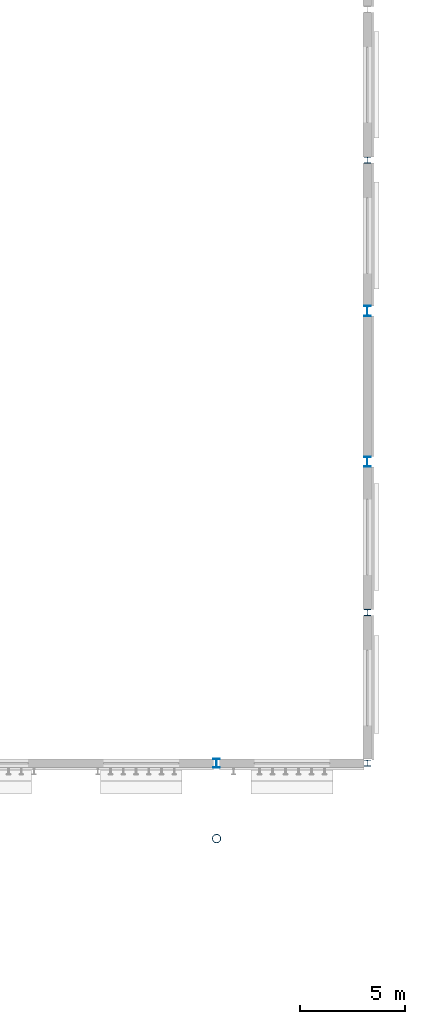
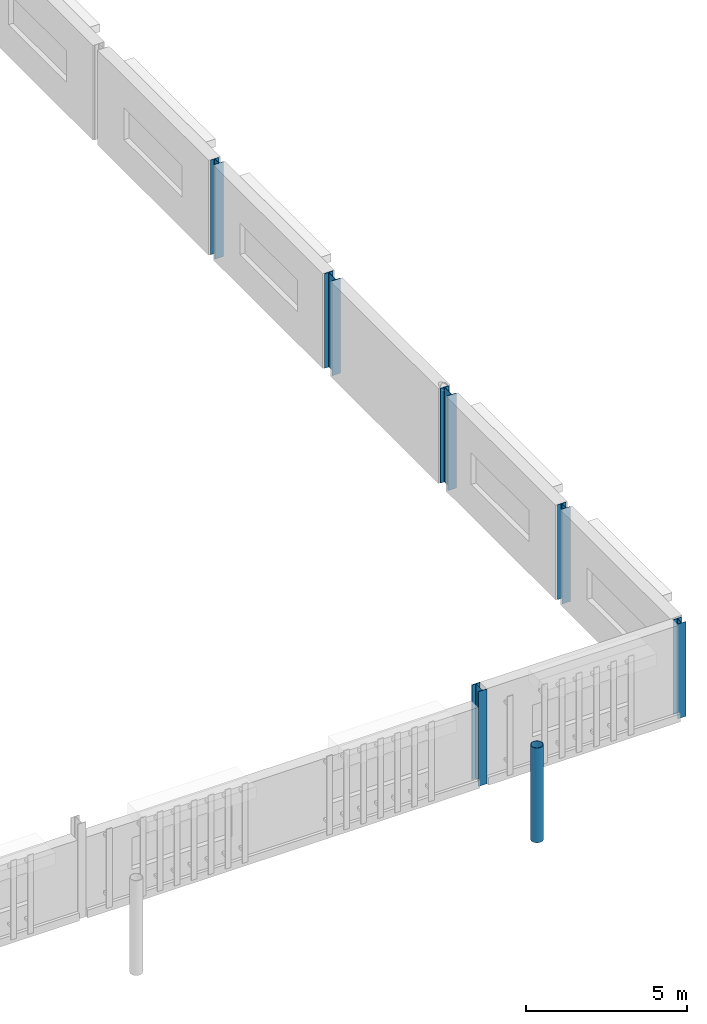
# One storey, part 16 of 124: 7 columns.
"""IFC4 building model written with IfcOpenShell, lengths in metres."""

from ifc_helpers import new_model, si_unit, direction, frame, origin, origin_2d, place, context, subcontext, project, spatial, hollow_circle, i_section, extrude, material, material_profile, profile_set, type_object, element, save


model = new_model("IFC4")

# Units and contexts
model_context = context("Model", 3, precision=1e-05, world=origin(), true_north=direction((0.0, 1.0)))
body_context = subcontext(model_context, "Body", "Model", "MODEL_VIEW")
ifc_project = project(units=[si_unit("LENGTHUNIT", "METRE"), si_unit("AREAUNIT", "SQUARE_METRE"), si_unit("VOLUMEUNIT", "CUBIC_METRE"), si_unit("PLANEANGLEUNIT", "RADIAN"), si_unit("MASSUNIT", "GRAM", prefix="KILO")], contexts=[model_context])

# Site, building, storey
site_placement = place(None, origin())
site = spatial("IfcSite", under=ifc_project, at=site_placement, CompositionType="ELEMENT")
building_placement = place(site_placement, origin())
building = spatial("IfcBuilding", under=site, at=building_placement, Name="Kupolbacken Congress Centre", CompositionType="ELEMENT")
storey_placement = place(building_placement, frame((0.0, 0.0, 10.800048828125)))
storey = spatial("IfcBuildingStorey", under=building, at=storey_placement, Name="L03", CompositionType="ELEMENT", Elevation=10.800048828125)

# Columns
ifc_material_1 = material(Name="Steel S355", Category="steel")
ifc_material_profile_1 = material_profile(ifc_material_1, i_section(OverallWidth=0.300048828125, OverallDepth=0.43994140625, WebThickness=0.011474609375, FlangeThickness=0.02099609375, FilletRadius=0.027099609375, at=origin_2d()), Name="HEA 450")
ifc_profile_set_1 = profile_set([ifc_material_profile_1], Name="Steel S355")
column_type_1 = type_object("IfcColumnType", Name="C07 column HEA 450", PredefinedType="COLUMN", material=ifc_profile_set_1)
column_1_placement = place(storey_placement, frame((194.39990234375, 43.199951171875, 0.0), z_axis=(0.0, 0.0, 1.0), x_axis=(1.0, 0.0, 0.0)))
element("IfcColumn", 1, at=column_1_placement, inside=storey, type_object=column_type_1, Name="S/col/C-H-T8S/L03", PredefinedType="COLUMN", context=body_context, shape_type="SweptSolid", body=[
    extrude(i_section(OverallWidth=0.300048828125, OverallDepth=0.43994140625, WebThickness=0.011474609375, FlangeThickness=0.02099609375, FilletRadius=0.027099609375, at=origin_2d()), origin(), (0.0, 0.0, 1.0), 3.599853515625),
])
ifc_material_2 = material(Name="Steel S355", Category="steel")
ifc_material_profile_2 = material_profile(ifc_material_2, i_section(OverallWidth=0.300048828125, OverallDepth=0.2900390625, WebThickness=0.008544921875, FlangeThickness=0.013916015625, FilletRadius=0.027099609375, at=origin_2d()), Name="HEA 300")
ifc_profile_set_2 = profile_set([ifc_material_profile_2], Name="Steel S355")
column_type_2 = type_object("IfcColumnType", Name="C09 column HEA 300", PredefinedType="COLUMN", material=ifc_profile_set_2)
for number, where, z_axis, x_axis, name in (
    (2, (201.60009765625, 43.199951171875, 0.0), (0.0, 0.0, 1.0), (1.0, 0.0, 0.0), "S/col/C-H-PE01/L03"),
    (3, (201.60009765625, 50.39990234375, 0.0), (0.0, 0.0, 1.0), (1.0, 0.0, 0.0), "S/col/C-H-PE02/L03"),
    (4, (201.60009765625, 72.0, 0.0), (0.0, 0.0, 1.0), (1.0, 0.0, 0.0), "S/col/C-H-PE05/L03"),
):
    element("IfcColumn", number, at=place(storey_placement, frame(where, z_axis=z_axis, x_axis=x_axis)), inside=storey, type_object=column_type_2, Name=name, PredefinedType="COLUMN", context=body_context, shape_type="SweptSolid", body=[
        extrude(i_section(OverallWidth=0.300048828125, OverallDepth=0.2900390625, WebThickness=0.008544921875, FlangeThickness=0.013916015625, FilletRadius=0.027099609375, at=origin_2d()), origin(), (0.0, 0.0, 1.0), 3.599853515625),
    ])
ifc_material_3 = material(Name="Steel S355", Category="steel")
ifc_material_profile_3 = material_profile(ifc_material_3, i_section(OverallWidth=0.300048828125, OverallDepth=0.489990234375, WebThickness=0.011962890625, FlangeThickness=0.02294921875, FilletRadius=0.027099609375, at=origin_2d()), Name="HEA 500")
ifc_profile_set_3 = profile_set([ifc_material_profile_3], Name="Steel S355")
column_type_3 = type_object("IfcColumnType", Name="C14 column HEA 500", PredefinedType="COLUMN", material=ifc_profile_set_3)
for number, where, z_axis, x_axis, name in (
    (5, (201.60009765625, 57.60009765625, 0.0), (0.0, 0.0, 1.0), (1.0, 0.0, 0.0), "S/col/C-H-PE03/L03"),
    (6, (201.60009765625, 64.800048828125, 0.0), (0.0, 0.0, 1.0), (1.0, 0.0, 0.0), "S/col/C-H-PE04/L03"),
):
    element("IfcColumn", number, at=place(storey_placement, frame(where, z_axis=z_axis, x_axis=x_axis)), inside=storey, type_object=column_type_3, Name=name, PredefinedType="COLUMN", context=body_context, shape_type="SweptSolid", body=[
        extrude(i_section(OverallWidth=0.300048828125, OverallDepth=0.489990234375, WebThickness=0.011962890625, FlangeThickness=0.02294921875, FilletRadius=0.027099609375, at=origin_2d()), origin(), (0.0, 0.0, 1.0), 3.599853515625),
    ])
ifc_material_4 = material(Name="Steel S355", Category="steel")
ifc_material_profile_4 = material_profile(ifc_material_4, hollow_circle(Radius=0.203125, WallThickness=0.01611328125, at=origin_2d()), Name="CHS 406.4 x 16")
ifc_profile_set_4 = profile_set([ifc_material_profile_4], Name="Steel S355")
column_type_4 = type_object("IfcColumnType", Name="C15 roof mast CHS 406.4 x 16", PredefinedType="COLUMN", material=ifc_profile_set_4)
column_2_placement = place(storey_placement, frame((194.39990234375, 39.60009765625, 0.0), z_axis=(0.0, 0.0, 1.0), x_axis=(1.0, 0.0, 0.0)))
element("IfcColumn", 7, at=column_2_placement, inside=storey, type_object=column_type_4, Name="Roof mast M8S", PredefinedType="COLUMN", context=body_context, shape_type="SweptSolid", body=[
    extrude(hollow_circle(Radius=0.203125, WallThickness=0.01611328125, at=origin_2d()), origin(), (0.0, 0.0, 1.0), 3.599853515625),
])

save(model, "model.ifc")
